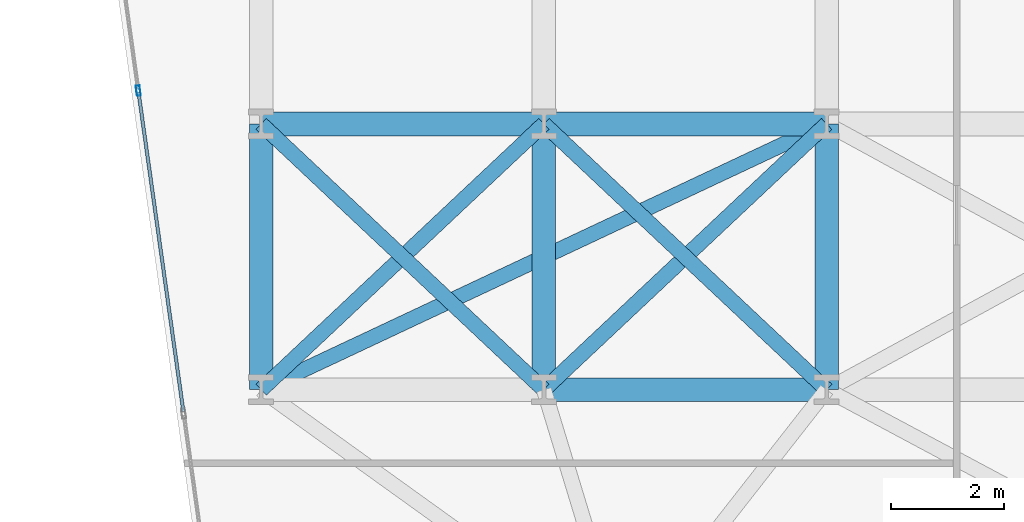
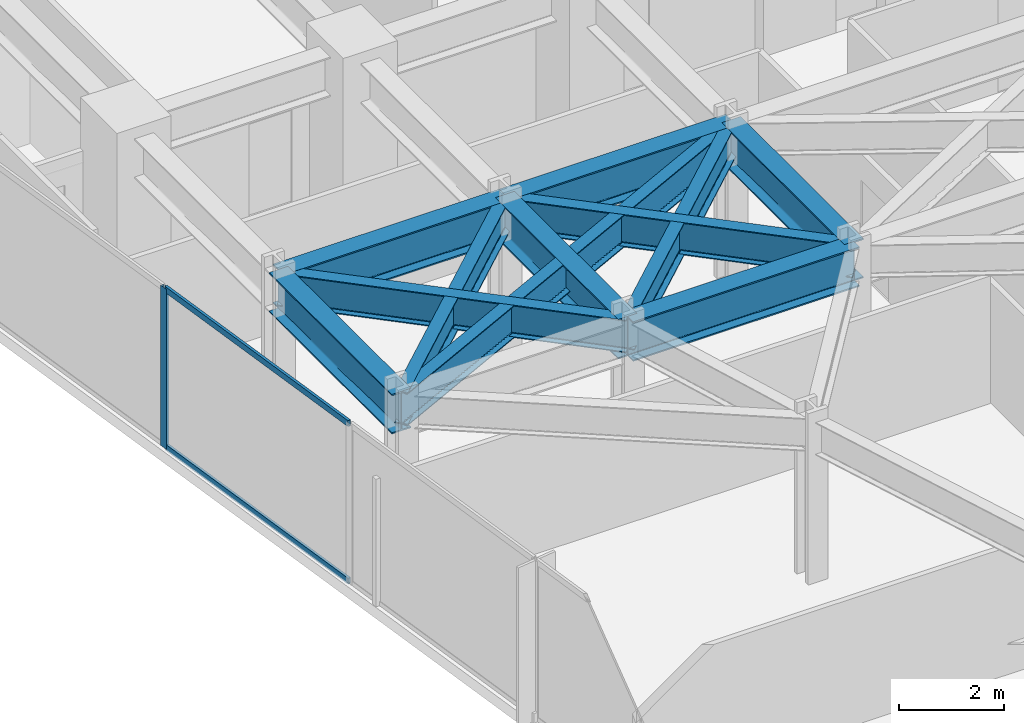
# One storey, part 8 of 25: 11 beams, 3 members, 1 element without a shape of its own.
"""IFC4 building model written with IfcOpenShell, lengths in metres."""

from ifc_helpers import new_model, si_unit, direction, frame, origin, origin_2d, place, context, subcontext, project, spatial, hollow_rectangle, i_section, extrude, material, layer, layer_set, material_profile, profile_set, type_object, element, aggregate, save


model = new_model("IFC4")

# Units and contexts
model_context = context("Model", 3, precision=1e-05, world=origin(), true_north=direction((0.0, 1.0)))
body_context = subcontext(model_context, "Body", "Model", "MODEL_VIEW")
ifc_project = project(units=[si_unit("LENGTHUNIT", "METRE"), si_unit("AREAUNIT", "SQUARE_METRE"), si_unit("VOLUMEUNIT", "CUBIC_METRE"), si_unit("PLANEANGLEUNIT", "RADIAN"), si_unit("MASSUNIT", "GRAM", prefix="KILO")], contexts=[model_context])

# Site, building, storey
site_placement = place(None, origin())
site = spatial("IfcSite", under=ifc_project, at=site_placement, CompositionType="ELEMENT")
building_placement = place(site_placement, origin())
building = spatial("IfcBuilding", under=site, at=building_placement, Name="Kravanh Interchange Tower", CompositionType="ELEMENT")
storey_placement = place(building_placement, frame((0.0, 0.0, 57.5)))
storey = spatial("IfcBuildingStorey", under=building, at=storey_placement, Name="L13", CompositionType="ELEMENT", Elevation=57.5)

# Curtain wall, members
ifc_material_1 = material(Name="Anodised Bronze Aluminium", Category="aluminium")
ifc_layer = layer(ifc_material_1, 0.179931640625)
ifc_layer_set = layer_set([ifc_layer], Name="Unitised Curtain Wall System CW-Z1 Lower Office")
curtain_wall_type = type_object("IfcCurtainWallType", Name="Unitised Curtain Wall System CW-Z1 Lower Office", PredefinedType="NOTDEFINED", material=ifc_layer_set)
curtain_wall_placement = place(storey_placement, origin())
curtain_wall = element("IfcCurtainWall", 1, at=curtain_wall_placement, inside=storey, type_object=curtain_wall_type, Name="L13 Unitised Curtain Wall CW-L13-01", PredefinedType="NOTDEFINED")
ifc_material_2 = material(Name="Anodised Bronze Aluminium", Category="aluminium")
ifc_material_profile_1 = material_profile(ifc_material_2, hollow_rectangle(XDim=0.070068359375, YDim=0.179931640625, WallThickness=0.00390625, at=origin_2d()), Name="ALU70X180X4")
ifc_profile_set_1 = profile_set([ifc_material_profile_1], Name="Anodised Bronze Aluminium")
member_type_1 = type_object("IfcMemberType", Name="Curtain Wall Mullion ALU70X180X4 Bronze", PredefinedType="MULLION", material=ifc_profile_set_1)
member_1_placement = place(storey_placement, frame((6.427490234375, 32.08935546875, 0.0), z_axis=(0.0, 0.0, 1.0), x_axis=(-0.990267585682, -0.139176538065, 0.0)))
member_1 = element("IfcMember", 2, at=member_1_placement, type_object=member_type_1, Name="CW-Z1 mullion 6", PredefinedType="MULLION", context=body_context, shape_type="SweptSolid", body=[
    extrude(hollow_rectangle(XDim=0.070068359375, YDim=0.179931640625, WallThickness=0.00390625, at=origin_2d()), origin(), (0.0, 0.0, 1.0), 3.739990234375),
])
ifc_material_3 = material(Name="Anodised Bronze Aluminium", Category="aluminium")
ifc_material_profile_2 = material_profile(ifc_material_3, hollow_rectangle(XDim=0.06005859375, YDim=0.139892578125, WallThickness=0.00390625, at=origin_2d()), Name="ALU60X140X4")
ifc_profile_set_2 = profile_set([ifc_material_profile_2], Name="Anodised Bronze Aluminium")
member_type_2 = type_object("IfcMemberType", Name="Curtain Wall Transom ALU60X140X4 Bronze", PredefinedType="USERDEFINED", material=ifc_profile_set_2)
member_2_placement = place(storey_placement, frame((7.22509765625, 26.41357421875, 0.030029296875), z_axis=(-0.139158957544, 0.990270056366, 0.0), x_axis=(-0.990270056366, -0.139158957544, 0.0)))
member_2 = element("IfcMember", 3, at=member_2_placement, type_object=member_type_2, Name="CW-Z1 transom 5.1", ObjectType="TRANSOM", PredefinedType="USERDEFINED", context=body_context, shape_type="SweptSolid", body=[
    extrude(hollow_rectangle(XDim=0.06005859375, YDim=0.139892578125, WallThickness=0.00390625, at=origin_2d()), origin(), (0.0, 0.0, 1.0), 5.696533203125),
])
member_3_placement = place(storey_placement, frame((7.22509765625, 26.41357421875, 3.7099609375), z_axis=(-0.139158957544, 0.990270056366, 0.0), x_axis=(-0.990270056366, -0.139158957544, 0.0)))
member_3 = element("IfcMember", 4, at=member_3_placement, type_object=member_type_2, Name="CW-Z1 transom 5.2", ObjectType="TRANSOM", PredefinedType="USERDEFINED", context=body_context, shape_type="SweptSolid", body=[
    extrude(hollow_rectangle(XDim=0.06005859375, YDim=0.139892578125, WallThickness=0.00390625, at=origin_2d()), origin(), (0.0, 0.0, 1.0), 5.696533203125),
])
aggregate(curtain_wall, [member_1, member_2, member_3])

# Beams
ifc_material_4 = material(Name="Structural Steel S355", Category="steel")
ifc_material_profile_3 = material_profile(ifc_material_4, i_section(OverallWidth=0.41796875, OverallDepth=0.927001953125, WebThickness=0.019287109375, FlangeThickness=0.031982421875, FilletRadius=0.028076171875, at=origin_2d()), Name="W36X231")
ifc_profile_set_3 = profile_set([ifc_material_profile_3], Name="Structural Steel S355")
beam_type_1 = type_object("IfcBeamType", Name="Floor Beam W36X231 Structural Steel S355", PredefinedType="BEAM", material=ifc_profile_set_3)
for number, where, z_axis, x_axis, name in (
    (5, (8.60009765625, 26.800048828125, 3.276611328125), (0.0, 1.0, 0.0), (-1.0, 0.0, 0.0), "L13 Primary Floor Girder 66"),
    (6, (13.60009765625, 26.800048828125, 3.276611328125), (0.0, 1.0, 0.0), (-1.0, 0.0, 0.0), "L13 Primary Floor Girder 70"),
):
    element("IfcBeam", number, at=place(storey_placement, frame(where, z_axis=z_axis, x_axis=x_axis)), inside=storey, type_object=beam_type_1, Name=name, PredefinedType="BEAM", context=body_context, shape_type="SweptSolid", body=[
        extrude(i_section(OverallWidth=0.41796875, OverallDepth=0.927001953125, WebThickness=0.019287109375, FlangeThickness=0.031982421875, FilletRadius=0.028076171875, at=origin_2d()), origin(), (0.0, 0.0, 1.0), 4.699951171875),
    ])
beam_1_placement = place(storey_placement, frame((13.60009765625, 26.800048828125, 3.276611328125), z_axis=(1.0, 0.0, 0.0), x_axis=(0.0, 1.0, 0.0)))
element("IfcBeam", 7, at=beam_1_placement, inside=storey, type_object=beam_type_1, Name="L13 Primary Floor Girder 71", PredefinedType="BEAM", context=body_context, shape_type="SweptSolid", body=[
    extrude(i_section(OverallWidth=0.41796875, OverallDepth=0.927001953125, WebThickness=0.019287109375, FlangeThickness=0.031982421875, FilletRadius=0.028076171875, at=origin_2d()), origin(), (0.0, 0.0, 1.0), 5.0),
])
beam_2_placement = place(storey_placement, frame((18.60009765625, 26.800048828125, 3.276611328125), z_axis=(0.0, 1.0, 0.0), x_axis=(-1.0, 0.0, 0.0)))
element("IfcBeam", 8, at=beam_2_placement, inside=storey, type_object=beam_type_1, Name="L13 Primary Floor Girder 74", PredefinedType="BEAM", context=body_context, shape_type="SweptSolid", body=[
    extrude(i_section(OverallWidth=0.41796875, OverallDepth=0.927001953125, WebThickness=0.019287109375, FlangeThickness=0.031982421875, FilletRadius=0.028076171875, at=origin_2d()), origin(), (0.0, 0.0, 1.0), 4.699951171875),
])
for number, where, z_axis, x_axis, name in (
    (9, (8.60009765625, 31.5, 3.276611328125), (1.0, 0.0, 0.0), (0.0, 1.0, 0.0), "L13 Primary Floor Girder 100"),
    (10, (13.60009765625, 31.5, 3.276611328125), (1.0, 0.0, 0.0), (0.0, 1.0, 0.0), "L13 Primary Floor Girder 101"),
):
    element("IfcBeam", number, at=place(storey_placement, frame(where, z_axis=z_axis, x_axis=x_axis)), inside=storey, type_object=beam_type_1, Name=name, PredefinedType="BEAM", context=body_context, shape_type="SweptSolid", body=[
        extrude(i_section(OverallWidth=0.41796875, OverallDepth=0.927001953125, WebThickness=0.019287109375, FlangeThickness=0.031982421875, FilletRadius=0.028076171875, at=origin_2d()), origin(), (0.0, 0.0, 1.0), 5.0),
    ])
ifc_material_5 = material(Name="Structural Steel S355", Category="steel")
ifc_material_profile_4 = material_profile(ifc_material_5, i_section(OverallWidth=0.26708984375, OverallDepth=0.761962890625, WebThickness=0.014404296875, FlangeThickness=0.021484375, FilletRadius=0.02490234375, at=origin_2d()), Name="W30X116")
ifc_profile_set_4 = profile_set([ifc_material_profile_4], Name="Structural Steel S355")
beam_type_2 = type_object("IfcBeamType", Name="Floor Spandrel W30X116 Structural Steel S355", PredefinedType="SPANDREL", material=ifc_profile_set_4)
beam_3_placement = place(storey_placement, frame((8.60009765625, 26.800048828125, 3.35888671875), z_axis=(0.728631219862, 0.684906231131, 0.0), x_axis=(-0.684906231131, 0.728631219862, 0.0)))
element("IfcBeam", 11, at=beam_3_placement, inside=storey, type_object=beam_type_2, Name="L13 Perimeter Spandrel 68", PredefinedType="SPANDREL", context=body_context, shape_type="SweptSolid", body=[
    extrude(i_section(OverallWidth=0.26708984375, OverallDepth=0.761962890625, WebThickness=0.014404296875, FlangeThickness=0.021484375, FilletRadius=0.02490234375, at=origin_2d()), origin(), (0.0, 0.0, 1.0), 6.862060546875),
])
beam_4_placement = place(storey_placement, frame((8.60009765625, 26.800048828125, 3.35888671875), z_axis=(0.905025402916, 0.425357520301, 0.0), x_axis=(-0.425357520301, 0.905025402916, 0.0)))
element("IfcBeam", 12, at=beam_4_placement, inside=storey, type_object=beam_type_2, Name="L13 Perimeter Spandrel 69", PredefinedType="SPANDREL", context=body_context, shape_type="SweptSolid", body=[
    extrude(i_section(OverallWidth=0.26708984375, OverallDepth=0.761962890625, WebThickness=0.014404296875, FlangeThickness=0.021484375, FilletRadius=0.02490234375, at=origin_2d()), origin(), (0.0, 0.0, 1.0), 11.04931640625),
])
for number, where, z_axis, x_axis, name in (
    (13, (13.60009765625, 26.800048828125, 3.35888671875), (-0.728631219862, 0.684906231131, 0.0), (-0.684906231131, -0.728631219862, 0.0), "L13 Perimeter Spandrel 72"),
    (14, (13.60009765625, 26.800048828125, 3.35888671875), (0.728631219862, 0.684906231131, 0.0), (-0.684906231131, 0.728631219862, 0.0), "L13 Perimeter Spandrel 73"),
    (15, (18.60009765625, 26.800048828125, 3.35888671875), (-0.728631219862, 0.684906231131, 0.0), (-0.684906231131, -0.728631219862, 0.0), "L13 Perimeter Spandrel 75"),
):
    element("IfcBeam", number, at=place(storey_placement, frame(where, z_axis=z_axis, x_axis=x_axis)), inside=storey, type_object=beam_type_2, Name=name, PredefinedType="SPANDREL", context=body_context, shape_type="SweptSolid", body=[
        extrude(i_section(OverallWidth=0.26708984375, OverallDepth=0.761962890625, WebThickness=0.014404296875, FlangeThickness=0.021484375, FilletRadius=0.02490234375, at=origin_2d()), origin(), (0.0, 0.0, 1.0), 6.862060546875),
    ])

save(model, "model.ifc")
